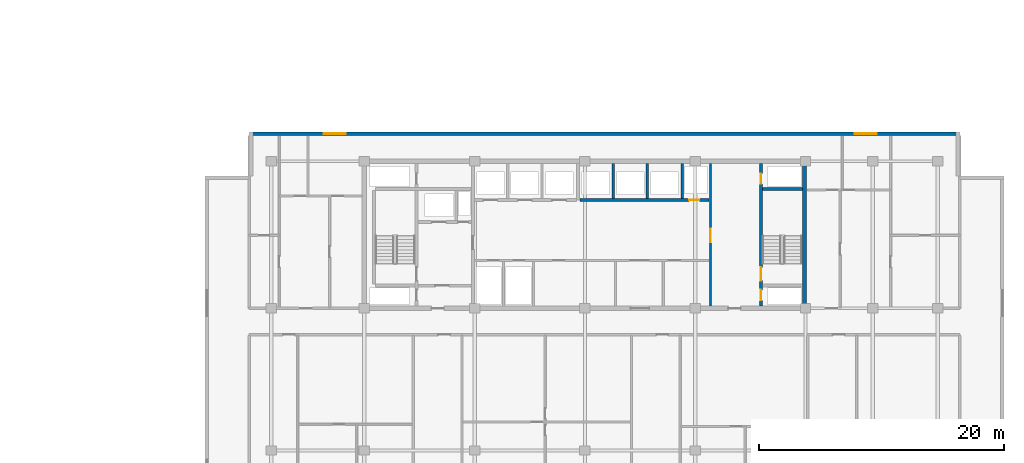
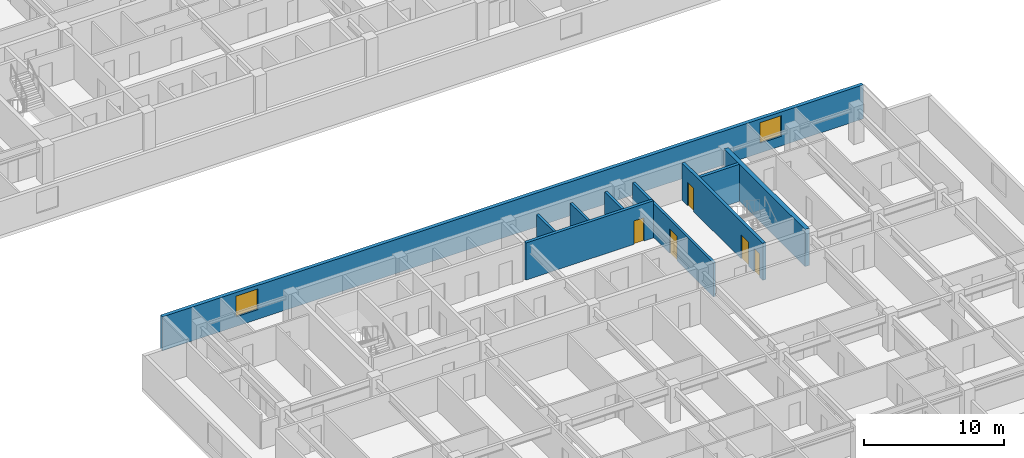
# One storey, part 8 of 22: 9 walls, 5 doors, 2 windows, 7 openings.
"""IFC4 building model written with IfcOpenShell, lengths in metres."""

import ifcopenshell
import ifcopenshell.guid

model = None  # the IFC model being written
_history = None  # IfcOwnerHistory: only IFC2X3 demands one
_inside = {}  # id of a spatial element -> (the spatial element, [elements in it])
_under = {}  # id of a project, library or spatial element -> (it, [spatial elements below it])
_declared = {}  # id of a project -> (the project, [libraries it declares])
_typed = {}  # id of a type object -> (the type object, [elements of that type])
_made_of = {}  # id of a material, layer set ... -> (it, [elements and type objects made of it])


def new_model(schema):
    """Start an empty IFC model of exactly this schema.

    Asked for "IFC4X3", IfcOpenShell would pick the latest addendum, in which some entities
    have other attributes; the version numbers below select the first issue.
    IFC2X3 requires an IfcOwnerHistory on every rooted entity: one is made here for all.
    """
    global model, _history
    if schema == "IFC4X3":
        model = ifcopenshell.file(schema_version=(4, 3, 0, 0))
    else:
        model = ifcopenshell.file(schema=schema)
    _inside.clear()
    _under.clear()
    _declared.clear()
    _typed.clear()
    _made_of.clear()
    _history = None
    if model.schema == "IFC2X3":
        org = make("IfcOrganization", Name="unknown")
        user = make(
            "IfcPersonAndOrganization",
            ThePerson=make("IfcPerson", FamilyName="unknown"),
            TheOrganization=org,
        )
        app = make(
            "IfcApplication",
            ApplicationDeveloper=org,
            Version="unknown",
            ApplicationFullName="unknown",
            ApplicationIdentifier="unknown",
        )
        _history = make(
            "IfcOwnerHistory",
            OwningUser=user,
            OwningApplication=app,
            ChangeAction="ADDED",
            CreationDate=0,
        )
    return model


def make(cls, **values):
    """One entity of the class cls with the attributes given. An attribute that is None is left unset."""
    return model.create_entity(
        cls, **{name: value for name, value in values.items() if value is not None}
    )


def rooted(cls, **values):
    """An entity with a GlobalId (a new one), such as an element, a storey or a relation."""
    return make(cls, GlobalId=ifcopenshell.guid.new(), OwnerHistory=_history, **values)


def si_unit(unit_type, name, prefix=None):
    """IfcSIUnit, for example si_unit("LENGTHUNIT", "METRE", prefix="MILLI")."""
    return make("IfcSIUnit", UnitType=unit_type, Prefix=prefix, Name=name)


def assignment(units):
    """IfcUnitAssignment: the units of a project."""
    return None if units is None else make("IfcUnitAssignment", Units=units)


def point(xyz):
    """IfcCartesianPoint."""
    return None if xyz is None else make("IfcCartesianPoint", Coordinates=xyz)


def direction(xyz):
    """IfcDirection."""
    return None if xyz is None else make("IfcDirection", DirectionRatios=xyz)


def frame(location, z_axis=None, x_axis=None):
    """IfcAxis2Placement3D, a coordinate frame: its origin and axes. An axis left out is left unset."""
    return make(
        "IfcAxis2Placement3D",
        Location=point(location),
        Axis=direction(z_axis),
        RefDirection=direction(x_axis),
    )


def frame_2d(location, x_axis=None):
    """IfcAxis2Placement2D, a coordinate frame in the plane: its origin and x axis."""
    return make(
        "IfcAxis2Placement2D", Location=point(location), RefDirection=direction(x_axis)
    )


def origin():
    """The frame at (0, 0, 0) with its axes left unset."""
    return frame((0.0, 0.0, 0.0))


def place(relative_to, where):
    """IfcLocalPlacement: puts the frame where relative to a parent placement (None: the world)."""
    return make(
        "IfcLocalPlacement", PlacementRelTo=relative_to, RelativePlacement=where
    )


def context(
    kind, dimensions, precision=None, world=None, true_north=None, identifier=None
):
    """IfcGeometricRepresentationContext, for example the 3D "Model" context."""
    return make(
        "IfcGeometricRepresentationContext",
        ContextIdentifier=identifier,
        ContextType=kind,
        CoordinateSpaceDimension=dimensions,
        Precision=precision,
        WorldCoordinateSystem=world,
        TrueNorth=true_north,
    )


def subcontext(parent, identifier, kind, view, scale=None):
    """IfcGeometricRepresentationSubContext, for example "Body" below "Model"."""
    return make(
        "IfcGeometricRepresentationSubContext",
        ContextIdentifier=identifier,
        ContextType=kind,
        ParentContext=parent,
        TargetScale=scale,
        TargetView=view,
    )


def project(units=None, contexts=None):
    """IfcProject with its units and contexts."""
    return rooted(
        "IfcProject",
        Name="project",
        RepresentationContexts=contexts,
        UnitsInContext=assignment(units),
    )


def spatial(cls, under=None, at=None, **own):
    """A site, building, storey or space (cls), placed at a placement, below another one or the project."""
    s = rooted(cls, ObjectPlacement=at, **own)
    if under is not None:
        _under.setdefault(under.id(), (under, []))[1].append(s)
    return s


def profile(cls, at=None, kind="AREA", **sizes):
    """A parametric profile (cls). Its sizes go by their IFC names, for example OverallWidth=200.0."""
    return make(cls, ProfileType=kind, Position=at, **sizes)


def rectangle(**sizes):
    """IfcRectangleProfileDef."""
    return profile("IfcRectangleProfileDef", **sizes)


def extrude(swept, where, along, depth):
    """IfcExtrudedAreaSolid: the profile swept, set in the frame where, extruded along a direction by depth."""
    return make(
        "IfcExtrudedAreaSolid",
        SweptArea=swept,
        Position=where,
        ExtrudedDirection=direction(along),
        Depth=depth,
    )


def shape(context_of_items, identifier, shape_type, items):
    """IfcShapeRepresentation: the items that make up one representation, for example the "Body"."""
    return make(
        "IfcShapeRepresentation",
        ContextOfItems=context_of_items,
        RepresentationIdentifier=identifier,
        RepresentationType=shape_type,
        Items=items,
    )


def material(Name=None, Category=None):
    """IfcMaterial."""
    return make("IfcMaterial", Name=Name, Category=Category)


def layer(
    of_material, thickness, ventilated=None, Name=None, Category=None, Priority=None
):
    """IfcMaterialLayer: one layer of a wall or slab, of a material (None: an air gap)."""
    return make(
        "IfcMaterialLayer",
        Material=of_material,
        LayerThickness=thickness,
        IsVentilated=ventilated,
        Name=Name,
        Category=Category,
        Priority=Priority,
    )


def layer_set(layers, Name=None):
    """IfcMaterialLayerSet."""
    return make("IfcMaterialLayerSet", MaterialLayers=layers, LayerSetName=Name)


def made_of(thing, what):
    """Note that an element or type object is made of a material, layer set ...; save() writes the relation."""
    if what is not None:
        _made_of.setdefault(what.id(), (what, []))[1].append(thing)
    return thing


def type_object(cls, material=None, **own):
    """A type object (cls), such as IfcWallType, which elements share."""
    return made_of(rooted(cls, **own), material)


def element(
    cls,
    number,
    at=None,
    inside=None,
    cuts=None,
    type_object=None,
    material=None,
    context=None,
    identifier="Body",
    shape_type=None,
    held_by="IfcProductDefinitionShape",
    body=None,
    shapes=None,
    **own,
):
    """One element of the class cls, such as IfcWall. Its Tag is "e" and its number.

    at: its placement. inside: the storey or other place that contains it. cuts: it is an
    opening in that element (IfcRelVoidsElement). A single representation is given by context,
    identifier, shape_type and body (its items); several are given by shapes. held_by: the class
    of the entity that holds the representations. save() writes the other relations.
    """
    e = rooted(cls, Tag="e%d" % number, ObjectPlacement=at, **own)
    if body is not None:
        shapes = [shape(context, identifier, shape_type, body)]
    if shapes is not None:
        e.Representation = make(held_by, Representations=shapes)
    if inside is not None:
        _inside.setdefault(inside.id(), (inside, []))[1].append(e)
    if cuts is not None:
        rooted(
            "IfcRelVoidsElement", RelatingBuildingElement=cuts, RelatedOpeningElement=e
        )
    if type_object is not None:
        _typed.setdefault(type_object.id(), (type_object, []))[1].append(e)
    return made_of(e, material)


def fill(opening, filler):
    """IfcRelFillsElement: the door or window that sits in an opening."""
    return rooted(
        "IfcRelFillsElement",
        RelatingOpeningElement=opening,
        RelatedBuildingElement=filler,
    )


def aggregate(whole, parts):
    """IfcRelAggregates: a whole, such as a stair, and the parts it consists of."""
    return rooted("IfcRelAggregates", RelatingObject=whole, RelatedObjects=parts)


def save(model, path):
    """Write the relations noted so far, then the file.

    IfcRelAggregates (storeys below a building ...), IfcRelContainedInSpatialStructure (elements
    in a storey), IfcRelDefinesByType, IfcRelAssociatesMaterial and IfcRelDeclares: one each for
    every whole, place, type object, material and project.
    """
    for whole, parts in _under.values():
        aggregate(whole, parts)
    for where, things in _inside.values():
        rooted(
            "IfcRelContainedInSpatialStructure",
            RelatedElements=things,
            RelatingStructure=where,
        )
    for kind, things in _typed.values():
        rooted("IfcRelDefinesByType", RelatedObjects=things, RelatingType=kind)
    for what, things in _made_of.values():
        rooted("IfcRelAssociatesMaterial", RelatedObjects=things, RelatingMaterial=what)
    for by, libraries in _declared.values():
        rooted("IfcRelDeclares", RelatingContext=by, RelatedDefinitions=libraries)
    model.write(path)


model = new_model("IFC4")

# Units and contexts
model_context = context("Model", 3, precision=1e-05, world=origin(), true_north=direction((0.0, 1.0)))
body_context = subcontext(model_context, "Body", "Model", "MODEL_VIEW")
ifc_project = project(units=[si_unit("LENGTHUNIT", "METRE"), si_unit("AREAUNIT", "SQUARE_METRE"), si_unit("VOLUMEUNIT", "CUBIC_METRE"), si_unit("PLANEANGLEUNIT", "RADIAN"), si_unit("MASSUNIT", "GRAM", prefix="KILO")], contexts=[model_context])

# Site, building, storey
site_placement = place(None, origin())
site = spatial("IfcSite", under=ifc_project, at=site_placement, CompositionType="ELEMENT")
building_placement = place(site_placement, origin())
building = spatial("IfcBuilding", under=site, at=building_placement, Name="Korimba Cascade Residences", CompositionType="ELEMENT")
storey_placement = place(building_placement, frame((0.0, 0.0, 84.050048828125)))
storey = spatial("IfcBuildingStorey", under=building, at=storey_placement, Name="L23", CompositionType="ELEMENT", Elevation=84.050048828125)

# Wall, openings, windows
ifc_material_1 = material(Name="Precast concrete C40/50", Category="concrete")
ifc_layer_1 = layer(ifc_material_1, 0.300048828125)
ifc_layer_set_1 = layer_set([ifc_layer_1], Name="Precast concrete C40/50")
wall_type_1 = type_object("IfcWallType", Name="EW-STONE-300", PredefinedType="STANDARD", material=ifc_layer_set_1)
wall_1_placement = place(storey_placement, frame((130.699951171875, 32.64990234375, 0.0), z_axis=(0.0, 0.0, 1.0), x_axis=(-1.0, 0.0, 0.0)))
wall_1 = element("IfcWall", 1, at=wall_1_placement, inside=storey, type_object=wall_type_1, Name="L23 T2 Perimeter Stone Wall E06", PredefinedType="STANDARD", context=body_context, shape_type="SweptSolid", body=[
    extrude(rectangle(XDim=58.0, YDim=0.300048828125, at=frame_2d((29.0, 0.0))), origin(), (0.0, 0.0, 1.0), 2.969970703125),
])
opening_1_placement = place(wall_1_placement, frame((50.125, 0.0, 0.85009765625)))
opening_1 = element("IfcOpeningElement", 2, at=opening_1_placement, cuts=wall_1, Name="Opening W-02", PredefinedType="OPENING", context=body_context, shape_type="SweptSolid", body=[
    extrude(rectangle(XDim=1.800048828125, YDim=1.800048828125, at=frame_2d((0.89990234375, 0.89990234375))), frame((0.0, 0.16015625, 0.0), z_axis=(0.0, -1.0, 0.0), x_axis=(1.0, 0.0, 0.0)), (0.0, 0.0, 1.0), 0.320068359375),
])
opening_2_placement = place(wall_1_placement, frame((6.77490234375, 0.0, 0.85009765625)))
opening_2 = element("IfcOpeningElement", 3, at=opening_2_placement, cuts=wall_1, Name="Opening W-02", PredefinedType="OPENING", context=body_context, shape_type="SweptSolid", body=[
    extrude(rectangle(XDim=1.800048828125, YDim=1.800048828125, at=frame_2d((0.89990234375, 0.89990234375))), frame((0.0, 0.16015625, 0.0), z_axis=(0.0, -1.0, 0.0), x_axis=(1.0, 0.0, 0.0)), (0.0, 0.0, 1.0), 0.320068359375),
])
ifc_material_2 = material(Name="Double-Glazed Aluminium Window", Category="aluminium")
window_type = type_object("IfcWindowType", Name="WIN-BED-1800", PartitioningType="SINGLE_PANEL", PredefinedType="WINDOW", material=ifc_material_2)
window_1_placement = place(opening_1_placement, origin())
window_1 = element("IfcWindow", 4, at=window_1_placement, inside=storey, type_object=window_type, Name="L23 T2 North Corner Bedroom Window 1", OverallHeight=1.800048828125, OverallWidth=1.800048828125, PartitioningType="SINGLE_PANEL", PredefinedType="WINDOW", context=body_context, shape_type="SweptSolid", body=[
    extrude(rectangle(XDim=1.800048828125, YDim=1.800048828125, at=frame_2d((0.89990234375, 0.89990234375))), frame((0.0, 0.030029296875, 0.0), z_axis=(0.0, -1.0, 0.0), x_axis=(1.0, 0.0, 0.0)), (0.0, 0.0, 1.0), 0.06005859375),
])
fill(opening_1, window_1)
window_2_placement = place(opening_2_placement, origin())
window_2 = element("IfcWindow", 5, at=window_2_placement, inside=storey, type_object=window_type, Name="L23 T2 North Corner Bedroom Window 2", OverallHeight=1.800048828125, OverallWidth=1.800048828125, PartitioningType="SINGLE_PANEL", PredefinedType="WINDOW", context=body_context, shape_type="SweptSolid", body=[
    extrude(rectangle(XDim=1.800048828125, YDim=1.800048828125, at=frame_2d((0.89990234375, 0.89990234375))), frame((0.0, 0.030029296875, 0.0), z_axis=(0.0, -1.0, 0.0), x_axis=(1.0, 0.0, 0.0)), (0.0, 0.0, 1.0), 0.06005859375),
])
fill(opening_2, window_2)

# Walls
ifc_material_3 = material(Name="Concrete C65/80", Category="concrete")
ifc_layer_2 = layer(ifc_material_3, 0.35009765625)
ifc_layer_set_2 = layer_set([ifc_layer_2], Name="Concrete C65/80")
wall_type_2 = type_object("IfcWallType", Name="WAL-CORE-350", PredefinedType="SHEAR", material=ifc_layer_set_2)
wall_2_placement = place(storey_placement, frame((118.014892578125, 18.574951171875, 0.0), z_axis=(0.0, 0.0, 1.0), x_axis=(0.0, 1.0, 0.0)))
element("IfcWall", 6, at=wall_2_placement, inside=storey, type_object=wall_type_2, Name="L23 Core Shear Wall CW-L23-T2-E", PredefinedType="SHEAR", context=body_context, shape_type="SweptSolid", body=[
    extrude(rectangle(XDim=11.650146484375, YDim=0.35009765625, at=frame_2d((5.8251953125, 0.0))), origin(), (0.0, 0.0, 1.0), 3.25),
])
ifc_material_4 = material(Name="Concrete C40/50", Category="concrete")
ifc_layer_3 = layer(ifc_material_4, 0.199951171875)
ifc_layer_set_3 = layer_set([ifc_layer_3], Name="Concrete C40/50")
wall_type_3 = type_object("IfcWallType", Name="WAL-PART-200", PredefinedType="PARTITIONING", material=ifc_layer_set_3)
for number, where, z_axis, x_axis, name in (
    (7, (102.39990234375, 27.3798828125, 0.0), (0.0, 0.0, 1.0), (0.0, 1.0, 0.0), "L23 Partition Wall CW-L23-T2-B2D1"),
    (8, (105.199951171875, 27.3798828125, 0.0), (0.0, 0.0, 1.0), (0.0, 1.0, 0.0), "L23 Partition Wall CW-L23-T2-B2D2"),
    (9, (108.050048828125, 27.3798828125, 0.0), (0.0, 0.0, 1.0), (0.0, 1.0, 0.0), "L23 Partition Wall CW-L23-T2-B2D3"),
):
    element("IfcWall", number, at=place(storey_placement, frame(where, z_axis=z_axis, x_axis=x_axis)), inside=storey, type_object=wall_type_3, Name=name, PredefinedType="PARTITIONING", context=body_context, shape_type="SweptSolid", body=[
        extrude(rectangle(XDim=2.820068359375, YDim=0.199951171875, at=frame_2d((1.41015625, 0.0))), origin(), (0.0, 0.0, 1.0), 2.969970703125),
    ])

# Wall, opening, door
wall_3_placement = place(storey_placement, frame((110.35009765625, 18.60009765625, 0.0), z_axis=(0.0, 0.0, 1.0), x_axis=(0.0, 1.0, 0.0)))
wall_3 = element("IfcWall", 10, at=wall_3_placement, inside=storey, type_object=wall_type_3, Name="L23 Partition Wall CW-L23-T2-LLEV", PredefinedType="PARTITIONING", context=body_context, shape_type="SweptSolid", body=[
    extrude(rectangle(XDim=11.599853515625, YDim=0.199951171875, at=frame_2d((5.7998046875, 0.0))), origin(), (0.0, 0.0, 1.0), 2.969970703125),
])
opening_3_placement = place(wall_3_placement, frame((5.199951171875, 0.0, 0.0)))
opening_3 = element("IfcOpeningElement", 11, at=opening_3_placement, cuts=wall_3, Name="Opening D-FD6", PredefinedType="OPENING", context=body_context, shape_type="SweptSolid", body=[
    extrude(rectangle(XDim=1.10009765625, YDim=2.14990234375, at=frame_2d((0.550048828125, 1.074951171875))), frame((0.0, 0.10986328125, 0.0), z_axis=(0.0, -1.0, 0.0), x_axis=(1.0, 0.0, 0.0)), (0.0, 0.0, 1.0), 0.219970703125),
])
ifc_material_5 = material(Name="Fire-Rated Timber Stair Lobby Door", Category="wood")
door_type_1 = type_object("IfcDoorType", Name="DR-FD90-1100", OperationType="NOTDEFINED", PredefinedType="DOOR", material=ifc_material_5)
door_1_placement = place(opening_3_placement, origin())
door_1 = element("IfcDoor", 12, at=door_1_placement, inside=storey, type_object=door_type_1, Name="L23 T2 Lift Lobby to East Stair Lobby Door", OperationType="SINGLE_SWING_RIGHT", OverallHeight=2.14990234375, OverallWidth=1.10009765625, PredefinedType="DOOR", context=body_context, shape_type="SweptSolid", body=[
    extrude(rectangle(XDim=1.10009765625, YDim=2.14990234375, at=frame_2d((0.550048828125, 1.074951171875))), frame((0.0, 0.02490234375, 0.0), z_axis=(0.0, -1.0, 0.0), x_axis=(1.0, 0.0, 0.0)), (0.0, 0.0, 1.0), 0.050048828125),
])
fill(opening_3, door_1)

ifc_material_6 = material(Name="Concrete C50/60", Category="concrete")
ifc_layer_4 = layer(ifc_material_6, 0.25)
ifc_layer_set_4 = layer_set([ifc_layer_4], Name="Concrete C50/60")
wall_type_4 = type_object("IfcWallType", Name="WAL-SHAFT-250", PredefinedType="SHEAR", material=ifc_layer_set_4)
wall_4_placement = place(storey_placement, frame((99.679931640625, 27.25, 0.0), z_axis=(0.0, 0.0, 1.0), x_axis=(1.0, 0.0, 0.0)))
wall_4 = element("IfcWall", 13, at=wall_4_placement, inside=storey, type_object=wall_type_4, Name="L23 Core Shear Wall CW-L23-T2-B2S", PredefinedType="SHEAR", context=body_context, shape_type="SweptSolid", body=[
    extrude(rectangle(XDim=10.5400390625, YDim=0.25, at=frame_2d((5.27001953125, 0.0))), origin(), (0.0, 0.0, 1.0), 3.25),
])
opening_4_placement = place(wall_4_placement, frame((8.919921875, 0.0, 0.0)))
opening_4 = element("IfcOpeningElement", 14, at=opening_4_placement, cuts=wall_4, Name="Opening D-RS1", PredefinedType="OPENING", context=body_context, shape_type="SweptSolid", body=[
    extrude(rectangle(XDim=0.85009765625, YDim=2.050048828125, at=frame_2d((0.425048828125, 1.02490234375))), frame((0.0, 0.135009765625, 0.0), z_axis=(0.0, -1.0, 0.0), x_axis=(1.0, 0.0, 0.0)), (0.0, 0.0, 1.0), 0.27001953125),
])
ifc_material_7 = material(Name="Fire-Rated Steel Riser Access Door", Category="steel")
door_type_2 = type_object("IfcDoorType", Name="DR-FD60-850", OperationType="NOTDEFINED", PredefinedType="DOOR", material=ifc_material_7)
door_2_placement = place(opening_4_placement, origin())
door_2 = element("IfcDoor", 15, at=door_2_placement, inside=storey, type_object=door_type_2, Name="L23 T2 Duct Door", OperationType="SINGLE_SWING_LEFT", OverallHeight=2.050048828125, OverallWidth=0.85009765625, PredefinedType="DOOR", context=body_context, shape_type="SweptSolid", body=[
    extrude(rectangle(XDim=0.85009765625, YDim=2.050048828125, at=frame_2d((0.425048828125, 1.02490234375))), frame((0.0, 0.02490234375, 0.0), z_axis=(0.0, -1.0, 0.0), x_axis=(1.0, 0.0, 0.0)), (0.0, 0.0, 1.0), 0.050048828125),
])
fill(opening_4, door_2)

# Wall, openings, doors
wall_5_placement = place(storey_placement, frame((114.47509765625, 18.60009765625, 0.0), z_axis=(0.0, 0.0, 1.0), x_axis=(0.0, 1.0, 0.0)))
wall_5 = element("IfcWall", 16, at=wall_5_placement, inside=storey, type_object=wall_type_4, Name="L23 Core Shear Wall CW-L23-T2-STE2W", PredefinedType="SHEAR", context=body_context, shape_type="SweptSolid", body=[
    extrude(rectangle(XDim=11.599853515625, YDim=0.25, at=frame_2d((5.7998046875, 0.0))), origin(), (0.0, 0.0, 1.0), 3.25),
])
opening_5_placement = place(wall_5_placement, frame((0.449951171875, 0.0, 0.0)))
opening_5 = element("IfcOpeningElement", 17, at=opening_5_placement, cuts=wall_5, Name="Opening D-RS1", PredefinedType="OPENING", context=body_context, shape_type="SweptSolid", body=[
    extrude(rectangle(XDim=0.85009765625, YDim=2.050048828125, at=frame_2d((0.425048828125, 1.02490234375))), frame((0.0, 0.135009765625, 0.0), z_axis=(0.0, -1.0, 0.0), x_axis=(1.0, 0.0, 0.0)), (0.0, 0.0, 1.0), 0.27001953125),
])
opening_6_placement = place(wall_5_placement, frame((2.050048828125, 0.0, 0.0)))
opening_6 = element("IfcOpeningElement", 18, at=opening_6_placement, cuts=wall_5, Name="Opening D-FD1", PredefinedType="OPENING", context=body_context, shape_type="SweptSolid", body=[
    extrude(rectangle(XDim=1.10009765625, YDim=2.10009765625, at=frame_2d((0.550048828125, 1.050048828125))), frame((0.0, 0.135009765625, 0.0), z_axis=(0.0, -1.0, 0.0), x_axis=(1.0, 0.0, 0.0)), (0.0, 0.0, 1.0), 0.27001953125),
])
opening_7_placement = place(wall_5_placement, frame((9.949951171875, 0.0, 0.0)))
opening_7 = element("IfcOpeningElement", 19, at=opening_7_placement, cuts=wall_5, Name="Opening D-RS1", PredefinedType="OPENING", context=body_context, shape_type="SweptSolid", body=[
    extrude(rectangle(XDim=0.85009765625, YDim=2.050048828125, at=frame_2d((0.425048828125, 1.02490234375))), frame((0.0, 0.135009765625, 0.0), z_axis=(0.0, -1.0, 0.0), x_axis=(1.0, 0.0, 0.0)), (0.0, 0.0, 1.0), 0.27001953125),
])
ifc_material_8 = material(Name="Fire-Rated Steel Core Door", Category="steel")
door_type_3 = type_object("IfcDoorType", Name="DR-FD120-1100", OperationType="NOTDEFINED", PredefinedType="DOOR", material=ifc_material_8)
door_3_placement = place(opening_6_placement, origin())
door_3 = element("IfcDoor", 20, at=door_3_placement, inside=storey, type_object=door_type_3, Name="L23 Fire Stair ST-E2 Door", OperationType="SINGLE_SWING_RIGHT", OverallHeight=2.10009765625, OverallWidth=1.10009765625, PredefinedType="DOOR", context=body_context, shape_type="SweptSolid", body=[
    extrude(rectangle(XDim=1.10009765625, YDim=2.10009765625, at=frame_2d((0.550048828125, 1.050048828125))), frame((0.0, 0.02490234375, 0.0), z_axis=(0.0, -1.0, 0.0), x_axis=(1.0, 0.0, 0.0)), (0.0, 0.0, 1.0), 0.050048828125),
])
fill(opening_6, door_3)
door_4_placement = place(opening_5_placement, origin())
door_4 = element("IfcDoor", 21, at=door_4_placement, inside=storey, type_object=door_type_2, Name="L23 T2 East Hydrant Door", OperationType="SINGLE_SWING_LEFT", OverallHeight=2.050048828125, OverallWidth=0.85009765625, PredefinedType="DOOR", context=body_context, shape_type="SweptSolid", body=[
    extrude(rectangle(XDim=0.85009765625, YDim=2.050048828125, at=frame_2d((0.425048828125, 1.02490234375))), frame((0.0, 0.02490234375, 0.0), z_axis=(0.0, -1.0, 0.0), x_axis=(1.0, 0.0, 0.0)), (0.0, 0.0, 1.0), 0.050048828125),
])
fill(opening_5, door_4)
door_5_placement = place(opening_7_placement, origin())
door_5 = element("IfcDoor", 22, at=door_5_placement, inside=storey, type_object=door_type_2, Name="L23 T2 East Riser Door", OperationType="SINGLE_SWING_LEFT", OverallHeight=2.050048828125, OverallWidth=0.85009765625, PredefinedType="DOOR", context=body_context, shape_type="SweptSolid", body=[
    extrude(rectangle(XDim=0.85009765625, YDim=2.050048828125, at=frame_2d((0.425048828125, 1.02490234375))), frame((0.0, 0.02490234375, 0.0), z_axis=(0.0, -1.0, 0.0), x_axis=(1.0, 0.0, 0.0)), (0.0, 0.0, 1.0), 0.050048828125),
])
fill(opening_7, door_5)

# Wall
wall_6_placement = place(storey_placement, frame((114.60009765625, 28.125, 0.0), z_axis=(0.0, 0.0, 1.0), x_axis=(1.0, 0.0, 0.0)))
element("IfcWall", 23, at=wall_6_placement, inside=storey, type_object=wall_type_4, Name="L23 Core Shear Wall CW-L23-T2-STE2N", PredefinedType="SHEAR", context=body_context, shape_type="SweptSolid", body=[
    extrude(rectangle(XDim=3.239990234375, YDim=0.25, at=frame_2d((1.6201171875, 0.0))), origin(), (0.0, 0.0, 1.0), 3.25),
])

save(model, "model.ifc")
